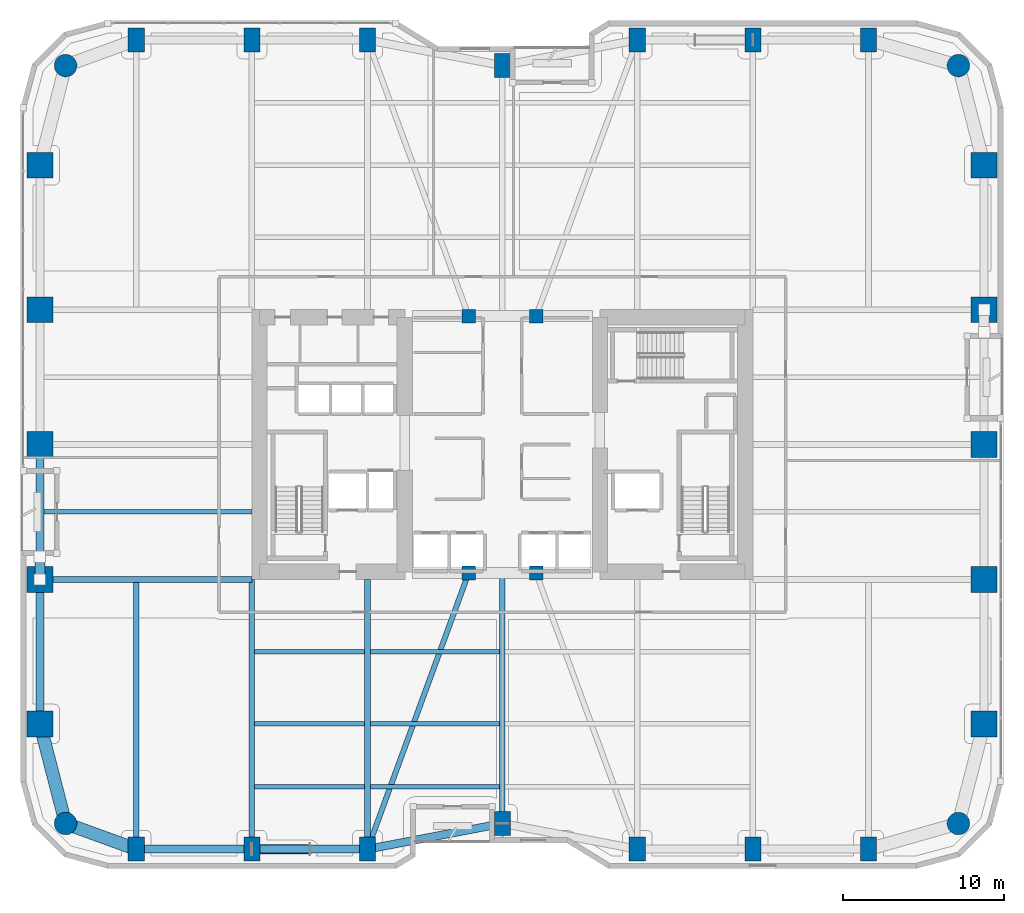
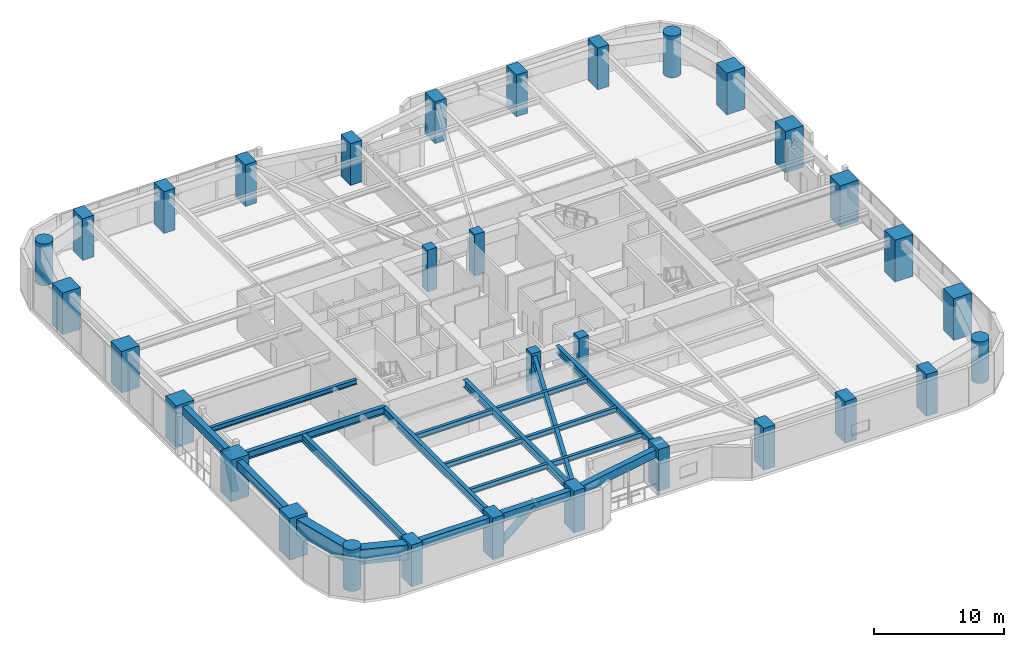
# One storey, part 1 of 29: 32 columns, 20 beams, 2 members.
"""IFC4 building model written with IfcOpenShell, lengths in metres."""

from ifc_helpers import new_model, si_unit, direction, frame, origin, origin_2d, place, context, subcontext, project, spatial, rectangle, circle, hollow_circle, i_section, extrude, material, material_profile, profile_set, type_object, element, save


model = new_model("IFC4")

# Units and contexts
model_context = context("Model", 3, precision=1e-05, world=origin(), true_north=direction((0.0, 1.0)))
body_context = subcontext(model_context, "Body", "Model", "MODEL_VIEW")
ifc_project = project(units=[si_unit("LENGTHUNIT", "METRE"), si_unit("AREAUNIT", "SQUARE_METRE"), si_unit("VOLUMEUNIT", "CUBIC_METRE"), si_unit("PLANEANGLEUNIT", "RADIAN"), si_unit("MASSUNIT", "GRAM", prefix="KILO")], contexts=[model_context])

# Site, building, storey
site_placement = place(None, origin())
site = spatial("IfcSite", under=ifc_project, at=site_placement, CompositionType="ELEMENT")
building_placement = place(site_placement, origin())
building = spatial("IfcBuilding", under=site, at=building_placement, Name="Kiyonajd Concourse Tower", CompositionType="ELEMENT")
storey_placement = place(building_placement, frame((0.0, 0.0, 29.39990234375)))
storey = spatial("IfcBuildingStorey", under=building, at=storey_placement, Name="L08", CompositionType="ELEMENT", Elevation=29.39990234375)

# Columns
ifc_material_1 = material(Name="Concrete C80/95", Category="concrete")
ifc_material_profile_1 = material_profile(ifc_material_1, rectangle(XDim=1.0, YDim=1.5, at=origin_2d()), Name="RC-1500x1000")
ifc_profile_set_1 = profile_set([ifc_material_profile_1], Name="Concrete C80/95")
column_type_1 = type_object("IfcColumnType", Name="CL-BLADE-1500", PredefinedType="COLUMN", material=ifc_profile_set_1)
for number, where, z_axis, x_axis, name in (
    (1, (25.199951171875, 10.800048828125, 0.0), (0.0, 0.0, 1.0), (1.0, 0.0, 0.0), "L08 Perimeter Bundled Tube Column"),
    (2, (25.199951171875, 61.199951171875, 0.0), (0.0, 0.0, 1.0), (1.0, 0.0, 0.0), "L08 Perimeter Bundled Tube Column"),
    (3, (32.39990234375, 10.800048828125, 0.0), (0.0, 0.0, 1.0), (1.0, 0.0, 0.0), "L08 Perimeter Bundled Tube Column"),
    (4, (32.39990234375, 61.199951171875, 0.0), (0.0, 0.0, 1.0), (1.0, 0.0, 0.0), "L08 Perimeter Bundled Tube Column"),
    (5, (39.60009765625, 10.800048828125, 0.0), (0.0, 0.0, 1.0), (1.0, 0.0, 0.0), "L08 Perimeter Bundled Tube Column"),
    (6, (39.60009765625, 61.199951171875, 0.0), (0.0, 0.0, 1.0), (1.0, 0.0, 0.0), "L08 Perimeter Bundled Tube Column"),
    (7, (48.0, 12.39990234375, 0.0), (0.0, 0.0, 1.0), (1.0, 0.0, 0.0), "L08 Perimeter Bundled Tube Column"),
    (8, (48.0, 59.60009765625, 0.0), (0.0, 0.0, 1.0), (1.0, 0.0, 0.0), "L08 Perimeter Bundled Tube Column"),
    (9, (56.39990234375, 10.800048828125, 0.0), (0.0, 0.0, 1.0), (1.0, 0.0, 0.0), "L08 Perimeter Bundled Tube Column"),
    (10, (56.39990234375, 61.199951171875, 0.0), (0.0, 0.0, 1.0), (1.0, 0.0, 0.0), "L08 Perimeter Bundled Tube Column"),
    (11, (63.60009765625, 10.800048828125, 0.0), (0.0, 0.0, 1.0), (1.0, 0.0, 0.0), "L08 Perimeter Bundled Tube Column"),
    (12, (63.60009765625, 61.199951171875, 0.0), (0.0, 0.0, 1.0), (1.0, 0.0, 0.0), "L08 Perimeter Bundled Tube Column"),
    (13, (70.800048828125, 10.800048828125, 0.0), (0.0, 0.0, 1.0), (1.0, 0.0, 0.0), "L08 Perimeter Bundled Tube Column"),
    (14, (70.800048828125, 61.199951171875, 0.0), (0.0, 0.0, 1.0), (1.0, 0.0, 0.0), "L08 Perimeter Bundled Tube Column"),
):
    element("IfcColumn", number, at=place(storey_placement, frame(where, z_axis=z_axis, x_axis=x_axis)), inside=storey, type_object=column_type_1, Name=name, PredefinedType="COLUMN", context=body_context, shape_type="SweptSolid", body=[
        extrude(rectangle(XDim=1.0, YDim=1.5, at=origin_2d()), origin(), (0.0, 0.0, 1.0), 3.900146484375),
    ])
ifc_material_profile_2 = material_profile(ifc_material_1, circle(Radius=0.699951171875, at=origin_2d()), Name="RCC-D1400")
ifc_profile_set_2 = profile_set([ifc_material_profile_2], Name="Concrete C80/95")
column_type_2 = type_object("IfcColumnType", Name="CL-RND-1400", PredefinedType="COLUMN", material=ifc_profile_set_2)
for number, where, z_axis, x_axis, name in (
    (15, (20.800048828125, 12.39990234375, 0.0), (0.0, 0.0, 1.0), (1.0, 0.0, 0.0), "L08 Bundled Tube Corner Column South West"),
    (16, (76.39990234375, 12.39990234375, 0.0), (0.0, 0.0, 1.0), (1.0, 0.0, 0.0), "L08 Bundled Tube Corner Column South East"),
    (17, (76.39990234375, 59.60009765625, 0.0), (0.0, 0.0, 1.0), (1.0, 0.0, 0.0), "L08 Bundled Tube Corner Column North East"),
    (18, (20.800048828125, 59.60009765625, 0.0), (0.0, 0.0, 1.0), (1.0, 0.0, 0.0), "L08 Bundled Tube Corner Column North West"),
):
    element("IfcColumn", number, at=place(storey_placement, frame(where, z_axis=z_axis, x_axis=x_axis)), inside=storey, type_object=column_type_2, Name=name, PredefinedType="COLUMN", context=body_context, shape_type="SweptSolid", body=[
        extrude(circle(Radius=0.699951171875, at=origin_2d()), origin(), (0.0, 0.0, 1.0), 3.900146484375),
    ])
ifc_material_profile_3 = material_profile(ifc_material_1, rectangle(XDim=1.60009765625, YDim=1.60009765625, at=origin_2d()), Name="RC-1600x1600")
ifc_profile_set_3 = profile_set([ifc_material_profile_3], Name="Concrete C80/95")
column_type_3 = type_object("IfcColumnType", Name="CL-TUBE-1600", PredefinedType="COLUMN", material=ifc_profile_set_3)
for number, where, z_axis, x_axis, name in (
    (19, (19.199951171875, 18.60009765625, 0.0), (0.0, 0.0, 1.0), (1.0, 0.0, 0.0), "L08 Perimeter Bundled Tube Column"),
    (20, (78.0, 18.60009765625, 0.0), (0.0, 0.0, 1.0), (1.0, 0.0, 0.0), "L08 Perimeter Bundled Tube Column"),
    (21, (19.199951171875, 27.60009765625, 0.0), (0.0, 0.0, 1.0), (1.0, 0.0, 0.0), "L08 Perimeter Bundled Tube Column"),
    (22, (78.0, 27.60009765625, 0.0), (0.0, 0.0, 1.0), (1.0, 0.0, 0.0), "L08 Perimeter Bundled Tube Column"),
    (23, (19.199951171875, 36.0, 0.0), (0.0, 0.0, 1.0), (1.0, 0.0, 0.0), "L08 Perimeter Bundled Tube Column"),
    (24, (78.0, 36.0, 0.0), (0.0, 0.0, 1.0), (1.0, 0.0, 0.0), "L08 Perimeter Bundled Tube Column"),
    (25, (19.199951171875, 44.39990234375, 0.0), (0.0, 0.0, 1.0), (1.0, 0.0, 0.0), "L08 Perimeter Bundled Tube Column"),
    (26, (78.0, 44.39990234375, 0.0), (0.0, 0.0, 1.0), (1.0, 0.0, 0.0), "L08 Perimeter Bundled Tube Column"),
    (27, (19.199951171875, 53.39990234375, 0.0), (0.0, 0.0, 1.0), (1.0, 0.0, 0.0), "L08 Perimeter Bundled Tube Column"),
    (28, (78.0, 53.39990234375, 0.0), (0.0, 0.0, 1.0), (1.0, 0.0, 0.0), "L08 Perimeter Bundled Tube Column"),
):
    element("IfcColumn", number, at=place(storey_placement, frame(where, z_axis=z_axis, x_axis=x_axis)), inside=storey, type_object=column_type_3, Name=name, PredefinedType="COLUMN", context=body_context, shape_type="SweptSolid", body=[
        extrude(rectangle(XDim=1.60009765625, YDim=1.60009765625, at=origin_2d()), origin(), (0.0, 0.0, 1.0), 3.900146484375),
    ])
ifc_material_2 = material(Name="Concrete C60/75", Category="concrete")
ifc_material_profile_4 = material_profile(ifc_material_2, rectangle(XDim=0.85009765625, YDim=0.85009765625, at=origin_2d()), Name="RC-850x850")
ifc_profile_set_4 = profile_set([ifc_material_profile_4], Name="Concrete C60/75")
column_type_4 = type_object("IfcColumnType", Name="CL-TUBE-850", PredefinedType="COLUMN", material=ifc_profile_set_4)
for number, where, z_axis, x_axis, name in (
    (29, (45.89990234375, 28.0, 0.0), (0.0, 0.0, 1.0), (1.0, 0.0, 0.0), "L08 Core Tie Column South West"),
    (30, (50.10009765625, 28.0, 0.0), (0.0, 0.0, 1.0), (1.0, 0.0, 0.0), "L08 Core Tie Column South East"),
    (31, (45.89990234375, 44.0, 0.0), (0.0, 0.0, 1.0), (1.0, 0.0, 0.0), "L08 Core Tie Column North West"),
    (32, (50.10009765625, 44.0, 0.0), (0.0, 0.0, 1.0), (1.0, 0.0, 0.0), "L08 Core Tie Column North East"),
):
    element("IfcColumn", number, at=place(storey_placement, frame(where, z_axis=z_axis, x_axis=x_axis)), inside=storey, type_object=column_type_4, Name=name, PredefinedType="COLUMN", context=body_context, shape_type="SweptSolid", body=[
        extrude(rectangle(XDim=0.85009765625, YDim=0.85009765625, at=origin_2d()), origin(), (0.0, 0.0, 1.0), 3.900146484375),
    ])

# Beams
ifc_material_3 = material(Name="Steel ASTM A992 Grade 50", Category="steel")
ifc_material_profile_5 = material_profile(ifc_material_3, i_section(OverallWidth=0.280029296875, OverallDepth=0.462890625, WebThickness=0.0107421875, FlangeThickness=0.017333984375, at=origin_2d()), Name="W460X113")
ifc_profile_set_5 = profile_set([ifc_material_profile_5], Name="Steel ASTM A992 Grade 50")
beam_type_1 = type_object("IfcBeamType", Name="BM-JST-460A", PredefinedType="JOIST", material=ifc_profile_set_5)
beam_1_placement = place(storey_placement, frame((32.577392578125, 14.699951171875, 3.40869140625), z_axis=(1.0, 0.0, 0.0), x_axis=(0.0, 1.0, 0.0)))
element("IfcBeam", 33, at=beam_1_placement, inside=storey, type_object=beam_type_1, Name="L08 Secondary Floor Joist", PredefinedType="JOIST", context=body_context, shape_type="SweptSolid", body=[
    extrude(i_section(OverallWidth=0.280029296875, OverallDepth=0.462890625, WebThickness=0.0107421875, FlangeThickness=0.017333984375, at=origin_2d()), origin(), (0.0, 0.0, 1.0), 6.84521484375),
])
beam_2_placement = place(storey_placement, frame((39.777587890625, 14.699951171875, 3.40869140625), z_axis=(1.0, 0.0, 0.0), x_axis=(0.0, 1.0, 0.0)))
element("IfcBeam", 34, at=beam_2_placement, inside=storey, type_object=beam_type_1, Name="L08 Secondary Floor Joist", PredefinedType="JOIST", context=body_context, shape_type="SweptSolid", body=[
    extrude(i_section(OverallWidth=0.280029296875, OverallDepth=0.462890625, WebThickness=0.0107421875, FlangeThickness=0.017333984375, at=origin_2d()), origin(), (0.0, 0.0, 1.0), 8.044921875),
])
beam_3_placement = place(storey_placement, frame((32.577392578125, 18.60009765625, 3.40869140625), z_axis=(1.0, 0.0, 0.0), x_axis=(0.0, 1.0, 0.0)))
element("IfcBeam", 35, at=beam_3_placement, inside=storey, type_object=beam_type_1, Name="L08 Secondary Floor Joist", PredefinedType="JOIST", context=body_context, shape_type="SweptSolid", body=[
    extrude(i_section(OverallWidth=0.280029296875, OverallDepth=0.462890625, WebThickness=0.0107421875, FlangeThickness=0.017333984375, at=origin_2d()), origin(), (0.0, 0.0, 1.0), 6.84521484375),
])
beam_4_placement = place(storey_placement, frame((39.777587890625, 18.60009765625, 3.40869140625), z_axis=(1.0, 0.0, 0.0), x_axis=(0.0, 1.0, 0.0)))
element("IfcBeam", 36, at=beam_4_placement, inside=storey, type_object=beam_type_1, Name="L08 Secondary Floor Joist", PredefinedType="JOIST", context=body_context, shape_type="SweptSolid", body=[
    extrude(i_section(OverallWidth=0.280029296875, OverallDepth=0.462890625, WebThickness=0.0107421875, FlangeThickness=0.017333984375, at=origin_2d()), origin(), (0.0, 0.0, 1.0), 8.044921875),
])
beam_5_placement = place(storey_placement, frame((32.577392578125, 23.10009765625, 3.40869140625), z_axis=(1.0, 0.0, 0.0), x_axis=(0.0, 1.0, 0.0)))
element("IfcBeam", 37, at=beam_5_placement, inside=storey, type_object=beam_type_1, Name="L08 Secondary Floor Joist", PredefinedType="JOIST", context=body_context, shape_type="SweptSolid", body=[
    extrude(i_section(OverallWidth=0.280029296875, OverallDepth=0.462890625, WebThickness=0.0107421875, FlangeThickness=0.017333984375, at=origin_2d()), origin(), (0.0, 0.0, 1.0), 6.84521484375),
])
beam_6_placement = place(storey_placement, frame((39.777587890625, 23.10009765625, 3.40869140625), z_axis=(1.0, 0.0, 0.0), x_axis=(0.0, 1.0, 0.0)))
element("IfcBeam", 38, at=beam_6_placement, inside=storey, type_object=beam_type_1, Name="L08 Secondary Floor Joist", PredefinedType="JOIST", context=body_context, shape_type="SweptSolid", body=[
    extrude(i_section(OverallWidth=0.280029296875, OverallDepth=0.462890625, WebThickness=0.0107421875, FlangeThickness=0.017333984375, at=origin_2d()), origin(), (0.0, 0.0, 1.0), 8.044921875),
])
beam_7_placement = place(storey_placement, frame((19.449951171875, 31.800048828125, 3.40869140625), z_axis=(1.0, 0.0, 0.0), x_axis=(0.0, 1.0, 0.0)))
element("IfcBeam", 39, at=beam_7_placement, inside=storey, type_object=beam_type_1, Name="L08 West Secondary Floor Joist", PredefinedType="JOIST", context=body_context, shape_type="SweptSolid", body=[
    extrude(i_section(OverallWidth=0.280029296875, OverallDepth=0.462890625, WebThickness=0.0107421875, FlangeThickness=0.017333984375, at=origin_2d()), origin(), (0.0, 0.0, 1.0), 12.949951171875),
])
ifc_material_4 = material(Name="Precast concrete C50/60", Category="concrete")
ifc_material_profile_6 = material_profile(ifc_material_4, rectangle(XDim=0.5, YDim=0.75, at=origin_2d()), Name="RCBM-500x750")
ifc_profile_set_6 = profile_set([ifc_material_profile_6], Name="Precast concrete C50/60")
beam_type_2 = type_object("IfcBeamType", Name="BM-SPAN-RC", PredefinedType="SPANDREL", material=ifc_profile_set_6)
beam_8_placement = place(storey_placement, frame((19.199951171875, 27.60009765625, 3.26513671875), z_axis=(0.0, -1.0, 0.0), x_axis=(1.0, 0.0, 0.0)))
element("IfcBeam", 40, at=beam_8_placement, inside=storey, type_object=beam_type_2, Name="L08 Perimeter Bundled Tube Spandrel", PredefinedType="SPANDREL", context=body_context, shape_type="SweptSolid", body=[
    extrude(rectangle(XDim=0.5, YDim=0.75, at=origin_2d()), origin(), (0.0, 0.0, 1.0), 9.0),
])
beam_9_placement = place(storey_placement, frame((25.199951171875, 10.800048828125, 3.26513671875), z_axis=(1.0, 0.0, 0.0), x_axis=(0.0, 1.0, 0.0)))
element("IfcBeam", 41, at=beam_9_placement, inside=storey, type_object=beam_type_2, Name="L08 Perimeter Bundled Tube Spandrel", PredefinedType="SPANDREL", context=body_context, shape_type="SweptSolid", body=[
    extrude(rectangle(XDim=0.5, YDim=0.75, at=origin_2d()), origin(), (0.0, 0.0, 1.0), 7.199951171875),
])
beam_10_placement = place(storey_placement, frame((32.39990234375, 10.800048828125, 3.26513671875), z_axis=(1.0, 0.0, 0.0), x_axis=(0.0, 1.0, 0.0)))
element("IfcBeam", 42, at=beam_10_placement, inside=storey, type_object=beam_type_2, Name="L08 Perimeter Bundled Tube Spandrel", PredefinedType="SPANDREL", context=body_context, shape_type="SweptSolid", body=[
    extrude(rectangle(XDim=0.5, YDim=0.75, at=origin_2d()), origin(), (0.0, 0.0, 1.0), 7.2001953125),
])
beam_11_placement = place(storey_placement, frame((39.60009765625, 10.800048828125, 3.26513671875), z_axis=(0.982341315253, 0.187097675953, 0.0), x_axis=(-0.187097675953, 0.982341315253, 0.0)))
element("IfcBeam", 43, at=beam_11_placement, inside=storey, type_object=beam_type_2, Name="L08 Perimeter Bundled Tube Spandrel", PredefinedType="SPANDREL", context=body_context, shape_type="SweptSolid", body=[
    extrude(rectangle(XDim=0.5, YDim=0.75, at=origin_2d()), origin(), (0.0, 0.0, 1.0), 8.55078125),
])
beam_12_placement = place(storey_placement, frame((19.199951171875, 36.0, 3.26513671875), z_axis=(0.0, -1.0, 0.0), x_axis=(1.0, 0.0, 0.0)))
element("IfcBeam", 44, at=beam_12_placement, inside=storey, type_object=beam_type_2, Name="L08 Perimeter Bundled Tube Spandrel", PredefinedType="SPANDREL", context=body_context, shape_type="SweptSolid", body=[
    extrude(rectangle(XDim=0.5, YDim=0.75, at=origin_2d()), origin(), (0.0, 0.0, 1.0), 8.39990234375),
])
ifc_material_profile_7 = material_profile(ifc_material_3, i_section(OverallWidth=0.326904296875, OverallDepth=0.6220703125, WebThickness=0.015380859375, FlangeThickness=0.0244140625, at=origin_2d()), Name="W610X195")
ifc_profile_set_7 = profile_set([ifc_material_profile_7], Name="Steel ASTM A992 Grade 50")
beam_type_3 = type_object("IfcBeamType", Name="BM-TWR-610A", PredefinedType="BEAM", material=ifc_profile_set_7)
beam_13_placement = place(storey_placement, frame((39.60009765625, 10.800048828125, 3.3291015625), z_axis=(0.343925269715, 0.938997022813, 0.0), x_axis=(-0.938997022813, 0.343925269715, 0.0)))
element("IfcBeam", 45, at=beam_13_placement, inside=storey, type_object=beam_type_3, Name="L08 Core Tie Girder", PredefinedType="BEAM", context=body_context, shape_type="SweptSolid", body=[
    extrude(i_section(OverallWidth=0.326904296875, OverallDepth=0.6220703125, WebThickness=0.015380859375, FlangeThickness=0.0244140625, at=origin_2d()), origin(), (0.0, 0.0, 1.0), 18.3173828125),
])
ifc_material_profile_8 = material_profile(ifc_material_3, i_section(OverallWidth=0.35498046875, OverallDepth=0.695068359375, WebThickness=0.015380859375, FlangeThickness=0.02490234375, at=origin_2d()), Name="W690X217")
ifc_profile_set_8 = profile_set([ifc_material_profile_8], Name="Steel ASTM A992 Grade 50")
beam_type_4 = type_object("IfcBeamType", Name="BM-TWR-690", PredefinedType="BEAM", material=ifc_profile_set_8)
for number, where, z_axis, x_axis, name in (
    (46, (25.199951171875, 10.800048828125, 3.29248046875), (0.0, 1.0, 0.0), (-1.0, 0.0, 0.0), "L08 South Lease Girder"),
    (47, (32.39990234375, 10.800048828125, 3.29248046875), (0.0, 1.0, 0.0), (-1.0, 0.0, 0.0), "L08 South Lease Girder"),
    (48, (39.60009765625, 10.800048828125, 3.29248046875), (0.0, 1.0, 0.0), (-1.0, 0.0, 0.0), "L08 South Lease Girder"),
):
    element("IfcBeam", number, at=place(storey_placement, frame(where, z_axis=z_axis, x_axis=x_axis)), inside=storey, type_object=beam_type_4, Name=name, PredefinedType="BEAM", context=body_context, shape_type="SweptSolid", body=[
        extrude(i_section(OverallWidth=0.35498046875, OverallDepth=0.695068359375, WebThickness=0.015380859375, FlangeThickness=0.02490234375, at=origin_2d()), origin(), (0.0, 0.0, 1.0), 16.800048828125),
    ])
beam_14_placement = place(storey_placement, frame((48.0, 12.39990234375, 3.29248046875), z_axis=(0.0, 1.0, 0.0), x_axis=(-1.0, 0.0, 0.0)))
element("IfcBeam", 49, at=beam_14_placement, inside=storey, type_object=beam_type_4, Name="L08 South Ribbon Girder", PredefinedType="BEAM", context=body_context, shape_type="SweptSolid", body=[
    extrude(i_section(OverallWidth=0.35498046875, OverallDepth=0.695068359375, WebThickness=0.015380859375, FlangeThickness=0.02490234375, at=origin_2d()), origin(), (0.0, 0.0, 1.0), 15.60009765625),
])
beam_15_placement = place(storey_placement, frame((19.199951171875, 27.60009765625, 3.29248046875), z_axis=(1.0, 0.0, 0.0), x_axis=(0.0, 1.0, 0.0)))
element("IfcBeam", 50, at=beam_15_placement, inside=storey, type_object=beam_type_4, Name="L08 West Lease Girder", PredefinedType="BEAM", context=body_context, shape_type="SweptSolid", body=[
    extrude(i_section(OverallWidth=0.35498046875, OverallDepth=0.695068359375, WebThickness=0.015380859375, FlangeThickness=0.02490234375, at=origin_2d()), origin(), (0.0, 0.0, 1.0), 13.199951171875),
])
ifc_material_profile_9 = material_profile(ifc_material_2, rectangle(XDim=0.800048828125, YDim=1.39990234375, at=origin_2d()), Name="RCBM-800x1400")
ifc_profile_set_9 = profile_set([ifc_material_profile_9], Name="Concrete C60/75")
beam_type_5 = type_object("IfcBeamType", Name="BM-XFER-RC", PredefinedType="BEAM", material=ifc_profile_set_9)
beam_16_placement = place(storey_placement, frame((19.199951171875, 18.60009765625, 2.940185546875), z_axis=(0.249884937687, -0.968275538221, 0.0), x_axis=(0.968275538221, 0.249884937687, 0.0)))
element("IfcBeam", 51, at=beam_16_placement, inside=storey, type_object=beam_type_5, Name="L08 Perimeter Bundled Tube Spandrel", PredefinedType="BEAM", context=body_context, shape_type="SweptSolid", body=[
    extrude(rectangle(XDim=0.800048828125, YDim=1.39990234375, at=origin_2d()), origin(), (0.0, 0.0, 1.0), 6.4033203125),
])
beam_17_placement = place(storey_placement, frame((20.800048828125, 12.39990234375, 2.940185546875), z_axis=(0.939801036019, -0.341722127901, 0.0), x_axis=(0.341722127901, 0.939801036019, 0.0)))
element("IfcBeam", 52, at=beam_17_placement, inside=storey, type_object=beam_type_5, Name="L08 Perimeter Bundled Tube Spandrel", PredefinedType="BEAM", context=body_context, shape_type="SweptSolid", body=[
    extrude(rectangle(XDim=0.800048828125, YDim=1.39990234375, at=origin_2d()), origin(), (0.0, 0.0, 1.0), 4.681640625),
])

# Members
ifc_material_5 = material(Name="Steel ASTM A572 Grade 50", Category="steel")
ifc_material_profile_10 = material_profile(ifc_material_5, hollow_circle(Radius=0.304931640625, WallThickness=0.02490234375, at=origin_2d()), Name="CHS-610x25")
ifc_profile_set_10 = profile_set([ifc_material_profile_10], Name="Steel ASTM A572 Grade 50")
member_type = type_object("IfcMemberType", Name="MB-PB-LOW", PredefinedType="BRACE", material=ifc_profile_set_10)
member_1_placement = place(storey_placement, frame((32.39990234375, 10.800048828125, 0.300048828125), z_axis=(0.769280705518, 0.0, 0.638910945373), x_axis=(0.0, 1.0, 0.0)))
element("IfcMember", 53, at=member_1_placement, inside=storey, type_object=member_type, Name="L08 Lower Zone Welded Tube Brace PBS", PredefinedType="BRACE", context=body_context, shape_type="SweptSolid", body=[
    extrude(hollow_circle(Radius=0.304931640625, WallThickness=0.02490234375, at=origin_2d()), origin(), (0.0, 0.0, 1.0), 4.679931640625),
])
member_2_placement = place(storey_placement, frame((19.199951171875, 27.60009765625, 0.300048828125), z_axis=(0.0, 0.424022702926, 0.905651559598), x_axis=(-1.0, 0.0, 0.0)))
element("IfcMember", 54, at=member_2_placement, inside=storey, type_object=member_type, Name="L08 Lower Zone Welded Tube Brace PBW", PredefinedType="BRACE", context=body_context, shape_type="SweptSolid", body=[
    extrude(hollow_circle(Radius=0.304931640625, WallThickness=0.02490234375, at=origin_2d()), origin(), (0.0, 0.0, 1.0), 3.301513671875),
])

save(model, "model.ifc")
